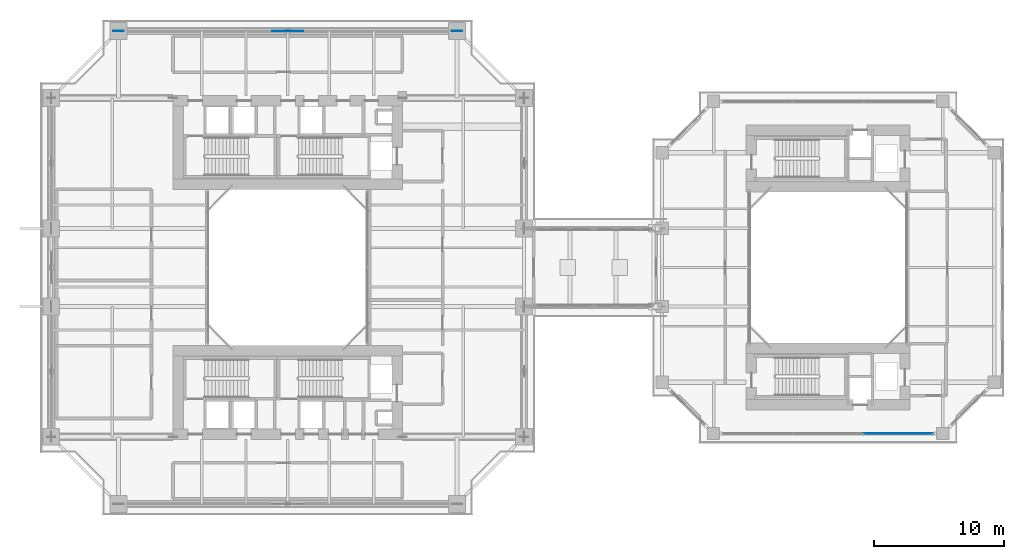
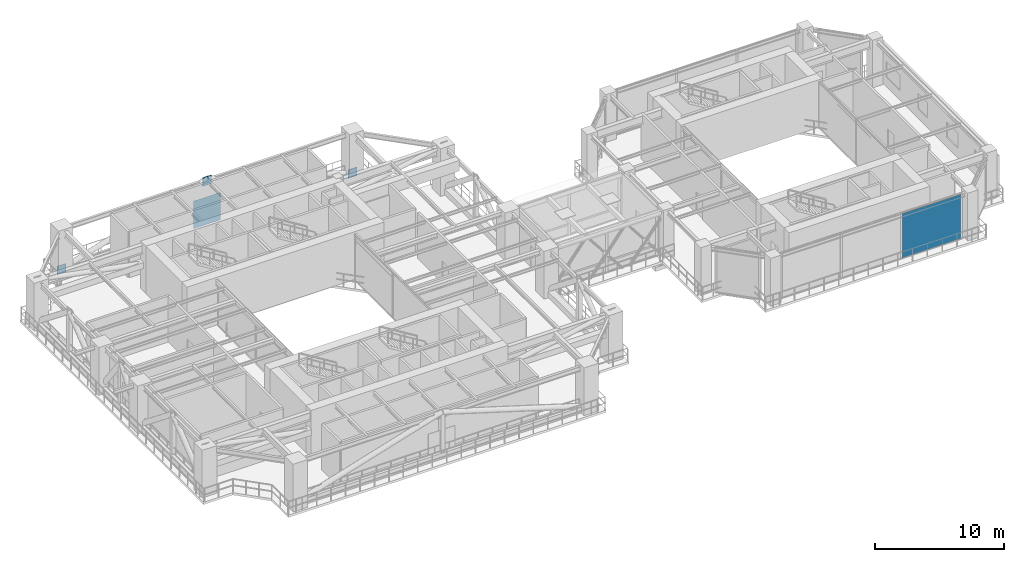
# One storey, part 13 of 26: 5 plates, 1 element without a shape of its own.
"""IFC4 building model written with IfcOpenShell, lengths in metres."""

from ifc_helpers import new_model, si_unit, direction, frame, origin, origin_2d, place, context, subcontext, project, spatial, rectangle, extrude, source, transform, mapped, material, layer, layer_set, type_object, element, aggregate, save


model = new_model("IFC4")

# Units and contexts
model_context = context("Model", 3, precision=1e-05, world=origin(), true_north=direction((0.0, 1.0)))
body_context = subcontext(model_context, "Body", "Model", "MODEL_VIEW")
ifc_project = project(units=[si_unit("LENGTHUNIT", "METRE"), si_unit("AREAUNIT", "SQUARE_METRE"), si_unit("VOLUMEUNIT", "CUBIC_METRE"), si_unit("PLANEANGLEUNIT", "RADIAN"), si_unit("MASSUNIT", "GRAM", prefix="KILO"), si_unit("THERMODYNAMICTEMPERATUREUNIT", "KELVIN"), si_unit("POWERUNIT", "WATT")], contexts=[model_context])

# Site, building, storey
site_placement = place(None, origin())
site = spatial("IfcSite", under=ifc_project, at=site_placement, CompositionType="ELEMENT")
building_placement = place(site_placement, origin())
building = spatial("IfcBuilding", under=site, at=building_placement, Name="Qiaomeng Ring Towers", CompositionType="ELEMENT")
storey_placement = place(building_placement, frame((0.0, 0.0, 45.75)))
storey = spatial("IfcBuildingStorey", under=building, at=storey_placement, Name="L12", CompositionType="ELEMENT", Elevation=45.75)

# Plates
ifc_material_1 = material(Name="Steel Q390GJC", Category="steel")
ifc_layer_1 = layer(ifc_material_1, 0.031982421875, Name="Steel Q390GJC")
ifc_layer_set_1 = layer_set([ifc_layer_1], Name="Steel Q390GJC")
plate_type_1 = type_object("IfcPlateType", Name="STR-PL-GUSSET", PredefinedType="USERDEFINED", material=ifc_layer_set_1)
shared_shape_1 = source(origin(), body_context, "Body", "SweptSolid", [
    extrude(rectangle(XDim=0.800048828125, YDim=0.031982421875, at=origin_2d()), origin(), (0.0, 0.0, 1.0), 0.800048828125),
])
for number, where, z_axis, x_axis, name in (
    (1, (19.0, 41.14990234375, 3.72021484375), (0.0, 0.0, 1.0), (-1.0, 0.0, 0.0), "L12 Belt Truss Node Gusset Plate 5-APX"),
    (2, (32.0, 41.14990234375, -0.080078125), (0.0, 0.0, 1.0), (-1.0, 0.0, 0.0), "L12 Belt Truss Node Gusset Plate 5-N1"),
    (3, (6.0, 41.14990234375, -0.080078125), (0.0, 0.0, 1.0), (-1.0, 0.0, 0.0), "L12 Belt Truss Node Gusset Plate 5-N2"),
):
    element("IfcPlate", number, at=place(storey_placement, frame(where, z_axis=z_axis, x_axis=x_axis)), inside=storey, type_object=plate_type_1, Name=name, ObjectType="GUSSET PLATE", PredefinedType="USERDEFINED", context=body_context, shape_type="MappedRepresentation", body=[
        mapped(shared_shape_1, transform((0.0, 0.0, 0.0), x_axis=(1.0, 0.0, 0.0), y_axis=(0.0, 1.0, 0.0), z_axis=(0.0, 0.0, 1.0), scale=1.0)),
    ])
ifc_material_2 = material(Name="Stainless steel 316", Category="steel")
ifc_layer_2 = layer(ifc_material_2, 0.011962890625, Name="Stainless steel 316")
ifc_layer_set_2 = layer_set([ifc_layer_2], Name="Stainless steel 316")
plate_type_2 = type_object("IfcPlateType", Name="ARC-PL-SCREEN", PredefinedType="SHEET", material=ifc_layer_set_2)
shared_shape_2 = source(origin(), body_context, "Body", "SweptSolid", [
    extrude(rectangle(XDim=2.39990234375, YDim=0.011962890625, at=origin_2d()), origin(), (0.0, 0.0, 1.0), 2.60009765625),
])
plate_1_placement = place(storey_placement, frame((19.0, 41.14990234375, 0.0), z_axis=(0.0, 0.0, 1.0), x_axis=(-1.0, 0.0, 0.0)))
element("IfcPlate", 4, at=plate_1_placement, inside=storey, type_object=plate_type_2, Name="L12 Perforated Refuge Wind Screen N", PredefinedType="SHEET", context=body_context, shape_type="MappedRepresentation", body=[
    mapped(shared_shape_2, transform((0.0, 0.0, 0.0), x_axis=(1.0, 0.0, 0.0), y_axis=(0.0, 1.0, 0.0), z_axis=(0.0, 0.0, 1.0), scale=1.0)),
])

# Curtain wall, plate
ifc_material_3 = material(Name="Fluorocarbon dark-grey aluminium", Category="aluminium")
ifc_layer_3 = layer(ifc_material_3, 0.14990234375, Name="Fluorocarbon dark-grey aluminium")
ifc_layer_set_3 = layer_set([ifc_layer_3], Name="Fluorocarbon dark-grey aluminium")
curtain_wall_type = type_object("IfcCurtainWallType", Name="ARC-CW-5", PredefinedType="NOTDEFINED", material=ifc_layer_set_3)
curtain_wall_placement = place(storey_placement, origin())
curtain_wall = element("IfcCurtainWall", 5, at=curtain_wall_placement, inside=storey, type_object=curtain_wall_type, Name="L12 Curtain Wall CW5", PredefinedType="NOTDEFINED")
ifc_material_4 = material(Name="Low-E dark-grey laminated double glazing", Category="glass")
ifc_layer_4 = layer(ifc_material_4, 0.028076171875, Name="Low-E dark-grey laminated double glazing")
ifc_layer_set_4 = layer_set([ifc_layer_4], Name="Low-E dark-grey laminated double glazing")
plate_type_3 = type_object("IfcPlateType", Name="ARC-CWP-DARK", PredefinedType="CURTAIN_PANEL", material=ifc_layer_set_4)
shared_shape_3 = source(origin(), body_context, "Body", "SweptSolid", [
    extrude(rectangle(XDim=5.284912109375, YDim=0.028076171875, at=origin_2d()), origin(), (0.0, 0.0, 1.0), 4.18994140625),
])
plate_2_placement = place(storey_placement, frame((65.87255859375, 10.25, 0.06494140625), z_axis=(0.0, 0.0, 1.0), x_axis=(1.0, 0.0, 0.0)))
plate_2 = element("IfcPlate", 6, at=plate_2_placement, type_object=plate_type_3, Name="CW5 panel 3.1", PredefinedType="CURTAIN_PANEL", context=body_context, shape_type="MappedRepresentation", body=[
    mapped(shared_shape_3, transform((0.0, 0.0, 0.0), x_axis=(1.0, 0.0, 0.0), y_axis=(0.0, 1.0, 0.0), z_axis=(0.0, 0.0, 1.0), scale=1.0)),
])
aggregate(curtain_wall, [plate_2])

save(model, "model.ifc")
